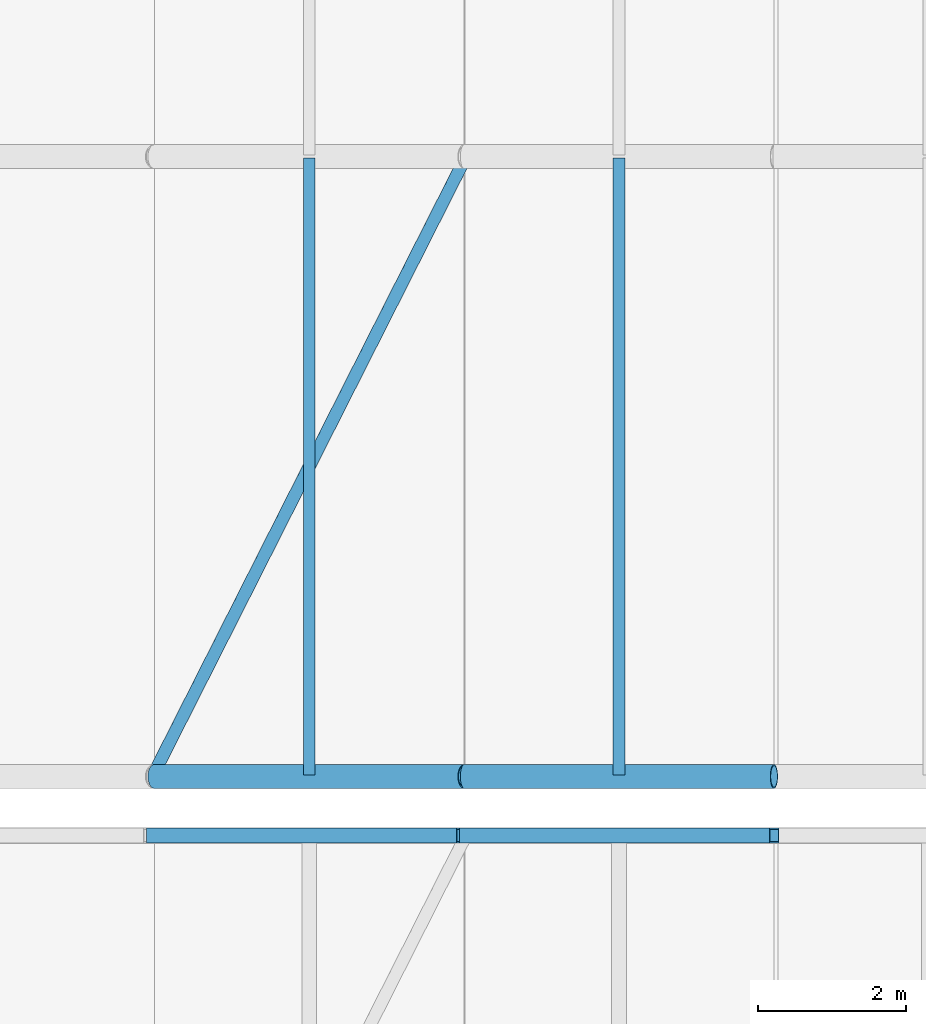
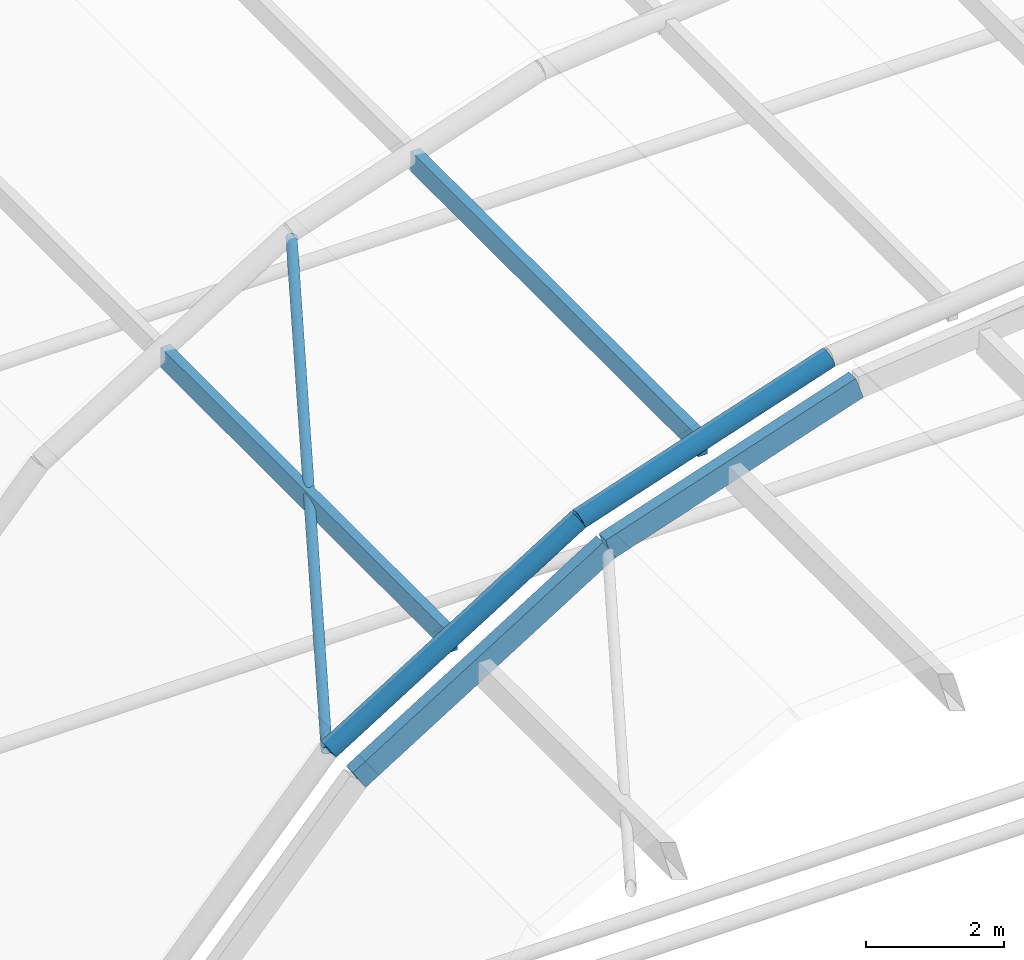
# One storey, part 32 of 114: 4 beams, 3 members.
"""IFC4 building model written with IfcOpenShell, lengths in metres."""

from ifc_helpers import new_model, si_unit, direction, frame, origin, origin_2d, place, context, subcontext, project, spatial, rectangle, hollow_rectangle, hollow_circle, extrude, material, material_profile, profile_set, type_object, element, save


model = new_model("IFC4")

# Units and contexts
model_context = context("Model", 3, precision=1e-05, world=origin(), true_north=direction((0.0, 1.0)))
body_context = subcontext(model_context, "Body", "Model", "MODEL_VIEW")
ifc_project = project(units=[si_unit("LENGTHUNIT", "METRE"), si_unit("AREAUNIT", "SQUARE_METRE"), si_unit("VOLUMEUNIT", "CUBIC_METRE"), si_unit("PLANEANGLEUNIT", "RADIAN"), si_unit("MASSUNIT", "GRAM", prefix="KILO")], contexts=[model_context])

# Site, building, storey
site_placement = place(None, origin())
site = spatial("IfcSite", under=ifc_project, at=site_placement, CompositionType="ELEMENT")
building_placement = place(site_placement, origin())
building = spatial("IfcBuilding", under=site, at=building_placement, Name="Xazarin Passage Department Store", CompositionType="ELEMENT")
storey_placement = place(building_placement, frame((0.0, 0.0, 14.39990234375)))
storey = spatial("IfcBuildingStorey", under=building, at=storey_placement, Name="L03", CompositionType="ELEMENT", Elevation=14.39990234375)

# Beams
ifc_material_1 = material(Name="Steel S355", Category="steel")
ifc_material_profile_1 = material_profile(ifc_material_1, hollow_circle(Radius=0.161865234375, WallThickness=0.01611328125, at=origin_2d()), Name="CHS 323.9x16")
ifc_profile_set_1 = profile_set([ifc_material_profile_1], Name="Steel S355")
beam_type_1 = type_object("IfcBeamType", Name="STR-BM-AR324", PredefinedType="BEAM", material=ifc_profile_set_1)
beam_1_placement = place(storey_placement, frame((72.199951171875, 51.199951171875, 6.33203125), z_axis=(0.848571440894, 0.0, 0.529080815848), x_axis=(0.0, 1.0, 0.0)))
element("IfcBeam", 1, at=beam_1_placement, inside=storey, type_object=beam_type_1, Name="V2N Primary Arch Rib 1.2", PredefinedType="BEAM", context=body_context, shape_type="SweptSolid", body=[
    extrude(hollow_circle(Radius=0.161865234375, WallThickness=0.01611328125, at=origin_2d()), origin(), (0.0, 0.0, 1.0), 4.949462890625),
])
beam_2_placement = place(storey_placement, frame((76.39990234375, 51.199951171875, 8.95068359375), z_axis=(0.948462545979, 0.0, 0.31688925333), x_axis=(0.0, 1.0, 0.0)))
element("IfcBeam", 2, at=beam_2_placement, inside=storey, type_object=beam_type_1, Name="V2N Primary Arch Rib 1.3", PredefinedType="BEAM", context=body_context, shape_type="SweptSolid", body=[
    extrude(hollow_circle(Radius=0.161865234375, WallThickness=0.01611328125, at=origin_2d()), origin(), (0.0, 0.0, 1.0), 4.428466796875),
])
ifc_material_profile_2 = material_profile(ifc_material_1, hollow_rectangle(XDim=0.199951171875, YDim=0.39990234375, WallThickness=0.01611328125, at=origin_2d()), Name="RHS 400x200x16")
ifc_profile_set_2 = profile_set([ifc_material_profile_2], Name="Steel S355")
beam_type_2 = type_object("IfcBeamType", Name="STR-BM-AR400", PredefinedType="BEAM", material=ifc_profile_set_2)
beam_3_placement = place(storey_placement, frame((72.199951171875, 50.39990234375, 6.33203125), z_axis=(0.848571440894, 0.0, 0.529080815848), x_axis=(0.0, 1.0, 0.0)))
element("IfcBeam", 3, at=beam_3_placement, inside=storey, type_object=beam_type_2, Name="V2S Primary Arch Rib 7.2", PredefinedType="BEAM", context=body_context, shape_type="SweptSolid", body=[
    extrude(hollow_rectangle(XDim=0.199951171875, YDim=0.39990234375, WallThickness=0.01611328125, at=origin_2d()), origin(), (0.0, 0.0, 1.0), 4.949462890625),
])
beam_4_placement = place(storey_placement, frame((76.39990234375, 50.39990234375, 8.95068359375), z_axis=(0.948462545979, 0.0, 0.31688925333), x_axis=(0.0, 1.0, 0.0)))
element("IfcBeam", 4, at=beam_4_placement, inside=storey, type_object=beam_type_2, Name="V2S Primary Arch Rib 7.3", PredefinedType="BEAM", context=body_context, shape_type="SweptSolid", body=[
    extrude(hollow_rectangle(XDim=0.199951171875, YDim=0.39990234375, WallThickness=0.01611328125, at=origin_2d()), origin(), (0.0, 0.0, 1.0), 4.428466796875),
])

# Members
ifc_material_profile_3 = material_profile(ifc_material_1, hollow_circle(Radius=0.084228515625, WallThickness=0.010009765625, at=origin_2d()), Name="CHS 168.3x10")
ifc_profile_set_3 = profile_set([ifc_material_profile_3], Name="Steel S355")
member_type_1 = type_object("IfcMemberType", Name="STR-MEM-BR168", PredefinedType="BRACE", material=ifc_profile_set_3)
member_placement = place(storey_placement, frame((72.199951171875, 51.25, 6.281982421875), z_axis=(0.434609592328, 0.858886375073, 0.270977299733), x_axis=(-0.892269998561, 0.451502214467, 0.0)))
element("IfcMember", 5, at=member_placement, inside=storey, type_object=member_type_1, Name="V2N Gridshell Diagonal Brace 1.1", PredefinedType="BRACE", context=body_context, shape_type="SweptSolid", body=[
    extrude(hollow_circle(Radius=0.084228515625, WallThickness=0.010009765625, at=origin_2d()), origin(), (0.0, 0.0, 1.0), 9.663818359375),
])
ifc_material_2 = material(Name="Glulam GL28h", Category="wood")
ifc_material_profile_4 = material_profile(ifc_material_2, rectangle(XDim=0.159912109375, YDim=0.360107421875, at=origin_2d()), Name="GL28h 160x360")
ifc_profile_set_4 = profile_set([ifc_material_profile_4], Name="Glulam GL28h")
member_type_2 = type_object("IfcMemberType", Name="STR-MEM-GL360", PredefinedType="PURLIN", material=ifc_profile_set_4)
for number, where, z_axis, x_axis, name in (
    (6, (74.300048828125, 51.219970703125, 7.50341796875), (0.0, 1.0, 0.0), (-1.0, 0.0, 0.0), "V2N Glulam Gridshell Purlin 1.2"),
    (7, (78.5, 51.219970703125, 9.514404296875), (0.0, 1.0, 0.0), (-1.0, 0.0, 0.0), "V2N Glulam Gridshell Purlin 1.3"),
):
    element("IfcMember", number, at=place(storey_placement, frame(where, z_axis=z_axis, x_axis=x_axis)), inside=storey, type_object=member_type_2, Name=name, PredefinedType="PURLIN", context=body_context, shape_type="SweptSolid", body=[
        extrude(rectangle(XDim=0.159912109375, YDim=0.360107421875, at=origin_2d()), origin(), (0.0, 0.0, 1.0), 8.360107421875),
    ])

save(model, "model.ifc")
